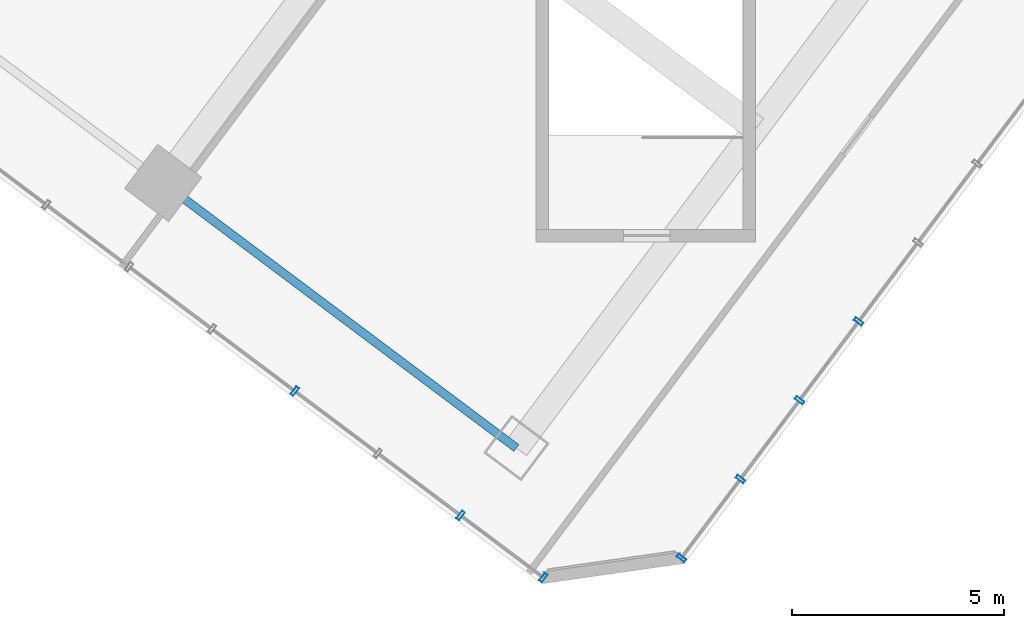
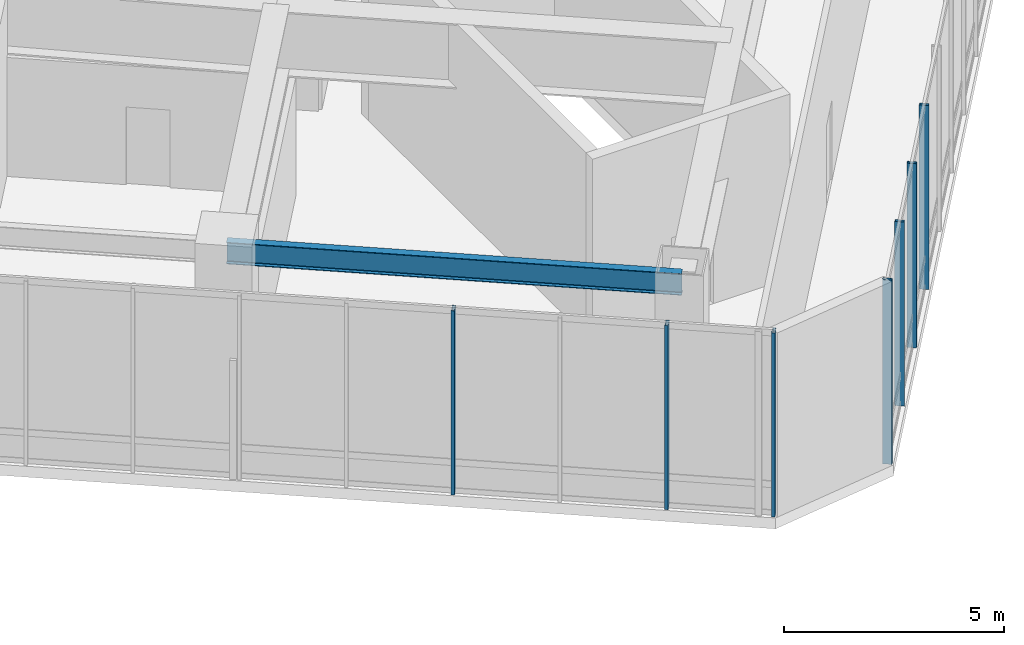
# One storey, part 9 of 38: 7 members, 1 beam, 2 elements without a shape of their own.
"""IFC4 building model written with IfcOpenShell, lengths in metres."""

from ifc_helpers import new_model, si_unit, direction, frame, origin, origin_2d, place, context, subcontext, project, spatial, hollow_rectangle, i_section, extrude, material, layer, layer_set, material_profile, profile_set, type_object, element, aggregate, save


model = new_model("IFC4")

# Units and contexts
model_context = context("Model", 3, precision=1e-05, world=origin(), true_north=direction((0.0, 1.0)))
body_context = subcontext(model_context, "Body", "Model", "MODEL_VIEW")
ifc_project = project(units=[si_unit("LENGTHUNIT", "METRE"), si_unit("AREAUNIT", "SQUARE_METRE"), si_unit("VOLUMEUNIT", "CUBIC_METRE"), si_unit("PLANEANGLEUNIT", "RADIAN"), si_unit("MASSUNIT", "GRAM", prefix="KILO")], contexts=[model_context])

# Site, building, storey
site_placement = place(None, origin())
site = spatial("IfcSite", under=ifc_project, at=site_placement, CompositionType="ELEMENT")
building_placement = place(site_placement, origin())
building = spatial("IfcBuilding", under=site, at=building_placement, Name="Hatsunagi Terrace Concourse", CompositionType="ELEMENT")
storey_placement = place(building_placement, frame((0.0, 0.0, 21.60009765625)))
storey = spatial("IfcBuildingStorey", under=building, at=storey_placement, Name="L05", CompositionType="ELEMENT", Elevation=21.60009765625)

# Curtain wall, members
ifc_material_1 = material(Name="Anodised Aluminium Alloy 6063-T5", Category="aluminium")
ifc_layer = layer(ifc_material_1, 0.199951171875)
ifc_layer_set = layer_set([ifc_layer], Name="PodiumStorefront_CW01")
curtain_wall_type = type_object("IfcCurtainWallType", Name="PodiumStorefront_CW01", PredefinedType="NOTDEFINED", material=ifc_layer_set)
curtain_wall_1_placement = place(storey_placement, origin())
curtain_wall_1 = element("IfcCurtainWall", 1, at=curtain_wall_1_placement, inside=storey, type_object=curtain_wall_type, Name="Unitised Curtain Wall CW-01 CW-L05-03", PredefinedType="NOTDEFINED")
ifc_material_2 = material(Name="Anodised Aluminium Alloy 6063-T5", Category="aluminium")
ifc_material_profile_1 = material_profile(ifc_material_2, hollow_rectangle(XDim=0.080078125, YDim=0.219970703125, WallThickness=0.0048828125, at=origin_2d()), Name="ALU-MUL-220x80x5")
ifc_profile_set_1 = profile_set([ifc_material_profile_1], Name="Anodised Aluminium Alloy 6063-T5")
member_type = type_object("IfcMemberType", Name="CurtainWallMullion_Heavy_220x80", PredefinedType="MULLION", material=ifc_profile_set_1)
member_1_placement = place(storey_placement, frame((61.93994140625, 7.618896484375, 0.0), z_axis=(0.0, 0.0, 1.0), x_axis=(-0.599969314634, -0.800023013105, 0.0)))
member_1 = element("IfcMember", 2, at=member_1_placement, type_object=member_type, Name="Curtain Wall Mullion MUL-01", PredefinedType="MULLION", context=body_context, shape_type="SweptSolid", body=[
    extrude(hollow_rectangle(XDim=0.080078125, YDim=0.219970703125, WallThickness=0.0048828125, at=origin_2d()), origin(), (0.0, 0.0, 1.0), 5.099853515625),
])
member_2_placement = place(storey_placement, frame((60.547119140625, 5.762939453125, 0.0), z_axis=(0.0, 0.0, 1.0), x_axis=(-0.599969314634, -0.800023013105, 0.0)))
member_2 = element("IfcMember", 3, at=member_2_placement, type_object=member_type, Name="Curtain Wall Mullion MUL-01", PredefinedType="MULLION", context=body_context, shape_type="SweptSolid", body=[
    extrude(hollow_rectangle(XDim=0.080078125, YDim=0.219970703125, WallThickness=0.0048828125, at=origin_2d()), origin(), (0.0, 0.0, 1.0), 5.099853515625),
])
member_3_placement = place(storey_placement, frame((59.155029296875, 3.906005859375, 0.0), z_axis=(0.0, 0.0, 1.0), x_axis=(-0.599969314634, -0.800023013105, 0.0)))
member_3 = element("IfcMember", 4, at=member_3_placement, type_object=member_type, Name="Curtain Wall Mullion MUL-01", PredefinedType="MULLION", context=body_context, shape_type="SweptSolid", body=[
    extrude(hollow_rectangle(XDim=0.080078125, YDim=0.219970703125, WallThickness=0.0048828125, at=origin_2d()), origin(), (0.0, 0.0, 1.0), 5.099853515625),
])
member_4_placement = place(storey_placement, frame((57.762939453125, 2.050048828125, 0.0), z_axis=(0.0, 0.0, 1.0), x_axis=(-0.599969314634, -0.800023013105, 0.0)))
member_4 = element("IfcMember", 5, at=member_4_placement, type_object=member_type, Name="Curtain Wall Mullion MUL-01", PredefinedType="MULLION", context=body_context, shape_type="SweptSolid", body=[
    extrude(hollow_rectangle(XDim=0.080078125, YDim=0.219970703125, WallThickness=0.0048828125, at=origin_2d()), origin(), (0.0, 0.0, 1.0), 5.099853515625),
])
aggregate(curtain_wall_1, [member_1, member_2, member_3, member_4])

curtain_wall_2_placement = place(storey_placement, origin())
curtain_wall_2 = element("IfcCurtainWall", 6, at=curtain_wall_2_placement, inside=storey, type_object=curtain_wall_type, Name="Unitised Curtain Wall CW-01 CW-L05-05", PredefinedType="NOTDEFINED")
member_5_placement = place(storey_placement, frame((54.51806640625, 1.5869140625, 0.0), z_axis=(0.0, 0.0, 1.0), x_axis=(-0.800003116929, 0.599995844072, 0.0)))
member_5 = element("IfcMember", 7, at=member_5_placement, type_object=member_type, Name="Curtain Wall Mullion MUL-01", PredefinedType="MULLION", context=body_context, shape_type="SweptSolid", body=[
    extrude(hollow_rectangle(XDim=0.080078125, YDim=0.219970703125, WallThickness=0.0048828125, at=origin_2d()), origin(), (0.0, 0.0, 1.0), 5.099853515625),
])
member_6_placement = place(storey_placement, frame((52.56689453125, 3.051025390625, 0.0), z_axis=(0.0, 0.0, 1.0), x_axis=(-0.800003116929, 0.599995844072, 0.0)))
member_6 = element("IfcMember", 8, at=member_6_placement, type_object=member_type, Name="Curtain Wall Mullion MUL-01", PredefinedType="MULLION", context=body_context, shape_type="SweptSolid", body=[
    extrude(hollow_rectangle(XDim=0.080078125, YDim=0.219970703125, WallThickness=0.0048828125, at=origin_2d()), origin(), (0.0, 0.0, 1.0), 5.099853515625),
])
member_7_placement = place(storey_placement, frame((48.6640625, 5.97802734375, 0.0), z_axis=(0.0, 0.0, 1.0), x_axis=(-0.800003116929, 0.599995844072, 0.0)))
member_7 = element("IfcMember", 9, at=member_7_placement, type_object=member_type, Name="Curtain Wall Mullion MUL-01", PredefinedType="MULLION", context=body_context, shape_type="SweptSolid", body=[
    extrude(hollow_rectangle(XDim=0.080078125, YDim=0.219970703125, WallThickness=0.0048828125, at=origin_2d()), origin(), (0.0, 0.0, 1.0), 5.099853515625),
])
aggregate(curtain_wall_2, [member_5, member_6, member_7])

# Beam
ifc_material_3 = material(Name="Steel SN490B", Category="steel")
ifc_material_profile_2 = material_profile(ifc_material_3, i_section(OverallWidth=0.199951171875, OverallDepth=0.60009765625, WebThickness=0.010986328125, FlangeThickness=0.01708984375, FilletRadius=0.01806640625, at=origin_2d()), Name="H-600x200x11x17")
ifc_profile_set_2 = profile_set([ifc_material_profile_2], Name="Steel SN490B")
beam_type = type_object("IfcBeamType", Name="PerimeterSpandrel_H_600x200", PredefinedType="SPANDREL", material=ifc_profile_set_2)
beam_placement = place(storey_placement, frame((45.56005859375, 10.8798828125, 4.7998046875), z_axis=(0.799994365871, -0.600007512099, 0.0), x_axis=(0.600007512099, 0.799994365871, 0.0)))
element("IfcBeam", 10, at=beam_placement, inside=storey, type_object=beam_type, Name="Beam SP-01 BM-L05-SE-SW3", PredefinedType="SPANDREL", context=body_context, shape_type="SweptSolid", body=[
    extrude(i_section(OverallWidth=0.199951171875, OverallDepth=0.60009765625, WebThickness=0.010986328125, FlangeThickness=0.01708984375, FilletRadius=0.01806640625, at=origin_2d()), origin(), (0.0, 0.0, 1.0), 10.39990234375),
])

save(model, "model.ifc")
